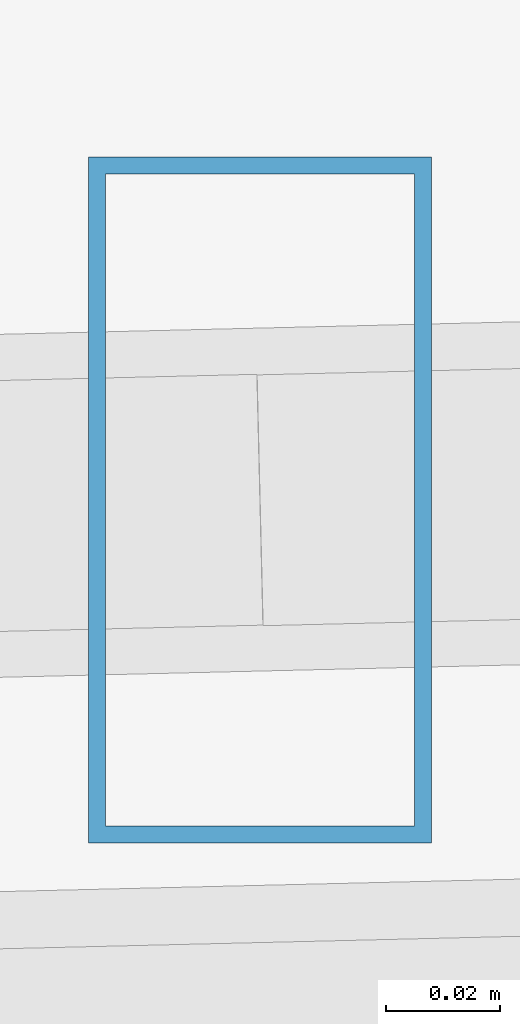
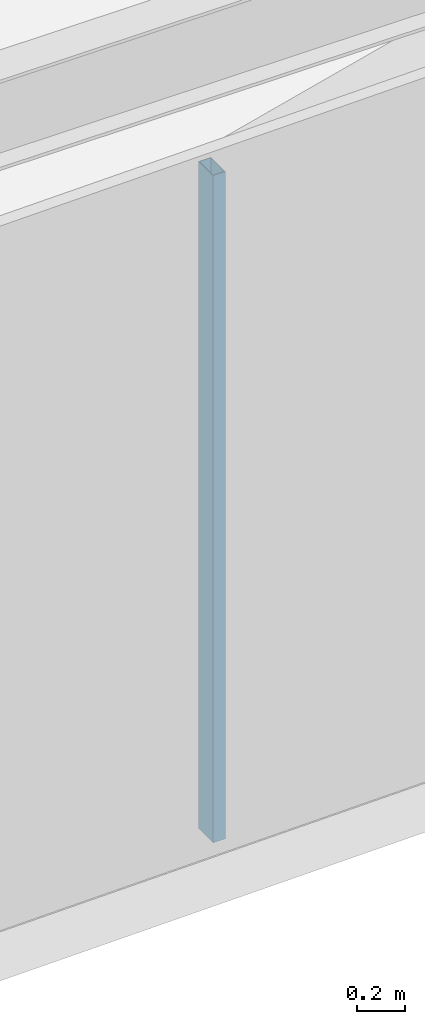
# One storey, part 13 of 45: 1 member, 1 element without a shape of its own.
"""IFC4 building model written with IfcOpenShell, lengths in metres."""

from ifc_helpers import new_model, si_unit, direction, frame, origin, origin_2d, place, context, subcontext, project, spatial, hollow_rectangle, extrude, source, transform, mapped, material, material_profile, profile_set, type_object, type_shapes, element, aggregate, save


model = new_model("IFC4")

# Units and contexts
model_context = context("Model", 3, precision=1e-05, world=origin(), true_north=direction((0.0, 1.0)))
body_context = subcontext(model_context, "Body", "Model", "MODEL_VIEW")
ifc_project = project(units=[si_unit("LENGTHUNIT", "METRE"), si_unit("AREAUNIT", "SQUARE_METRE"), si_unit("VOLUMEUNIT", "CUBIC_METRE"), si_unit("PLANEANGLEUNIT", "RADIAN"), si_unit("MASSUNIT", "GRAM", prefix="KILO")], contexts=[model_context])

# Site, building, storey
site_placement = place(None, origin())
site = spatial("IfcSite", under=ifc_project, at=site_placement, CompositionType="ELEMENT")
building_placement = place(site_placement, origin())
building = spatial("IfcBuilding", under=site, at=building_placement, Name="Caelisora Broadcast Tower", CompositionType="ELEMENT")
storey_placement = place(building_placement, frame((0.0, 0.0, 273.64990234375)))
storey = spatial("IfcBuildingStorey", under=building, at=storey_placement, Name="L72", CompositionType="ELEMENT", Elevation=273.64990234375)

# Curtain wall, member
ifc_material_1 = material(Name="Unitised Aluminium Insulated Shadow-Box Spandrel Curtain Wall", Category="aluminium")
curtain_wall_type = type_object("IfcCurtainWallType", Name="CW-SP3", PredefinedType="NOTDEFINED", material=ifc_material_1)
curtain_wall_placement = place(storey_placement, origin())
curtain_wall = element("IfcCurtainWall", 1, at=curtain_wall_placement, inside=storey, type_object=curtain_wall_type, Name="L72 curtain wall CW-SP3", PredefinedType="NOTDEFINED")
ifc_material_2 = material(Name="Aluminium 6063-T6 Anodised Terracotta Bronze", Category="aluminium")
ifc_material_profile = material_profile(ifc_material_2, hollow_rectangle(XDim=0.06005859375, YDim=0.1201171875, WallThickness=0.0029296875, at=origin_2d()), Name="Aluminium 6063-T6 Anodised Terracotta Bronze")
ifc_profile_set = profile_set([ifc_material_profile], Name="Aluminium 6063-T6 Anodised Terracotta Bronze")
member_type = type_object("IfcMemberType", Name="CWM-04", PredefinedType="MULLION", material=ifc_profile_set)
shared_shape = source(origin(), body_context, "Body", "SweptSolid", [
    extrude(hollow_rectangle(XDim=0.06005859375, YDim=0.1201171875, WallThickness=0.0029296875, at=origin_2d()), origin(), (0.0, 0.0, 1.0), 3.400146484375),
])
type_shapes(member_type, [shared_shape])
member_placement = place(storey_placement, frame((40.216796875, 8.665283203125, 0.0), z_axis=(0.0, 0.0, 1.0), x_axis=(1.0, 0.0, 0.0)))
member = element("IfcMember", 2, at=member_placement, type_object=member_type, Name="L72-CW-B06 mullion #1", PredefinedType="MULLION", context=body_context, shape_type="MappedRepresentation", body=[
    mapped(shared_shape, transform((0.0, 0.0, 0.0), scale=1.0)),
])
aggregate(curtain_wall, [member])

save(model, "model.ifc")
